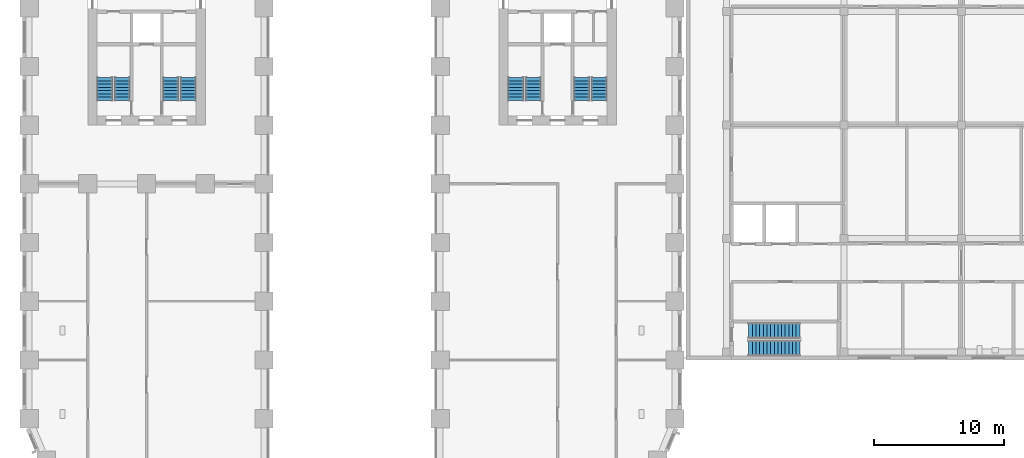
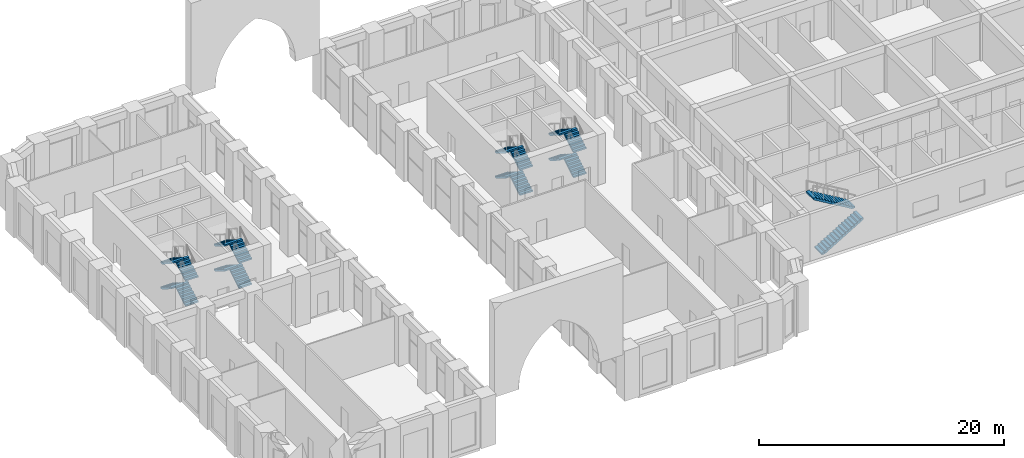
# One storey, part 18 of 25: 18 stair flights, 5 elements without a shape of their own.
"""IFC4 building model written with IfcOpenShell, lengths in metres."""

import ifcopenshell
import ifcopenshell.guid

model = None  # the IFC model being written
_history = None  # IfcOwnerHistory: only IFC2X3 demands one
_inside = {}  # id of a spatial element -> (the spatial element, [elements in it])
_under = {}  # id of a project, library or spatial element -> (it, [spatial elements below it])
_declared = {}  # id of a project -> (the project, [libraries it declares])
_typed = {}  # id of a type object -> (the type object, [elements of that type])
_made_of = {}  # id of a material, layer set ... -> (it, [elements and type objects made of it])


def new_model(schema):
    """Start an empty IFC model of exactly this schema.

    Asked for "IFC4X3", IfcOpenShell would pick the latest addendum, in which some entities
    have other attributes; the version numbers below select the first issue.
    IFC2X3 requires an IfcOwnerHistory on every rooted entity: one is made here for all.
    """
    global model, _history
    if schema == "IFC4X3":
        model = ifcopenshell.file(schema_version=(4, 3, 0, 0))
    else:
        model = ifcopenshell.file(schema=schema)
    _inside.clear()
    _under.clear()
    _declared.clear()
    _typed.clear()
    _made_of.clear()
    _history = None
    if model.schema == "IFC2X3":
        org = make("IfcOrganization", Name="unknown")
        user = make(
            "IfcPersonAndOrganization",
            ThePerson=make("IfcPerson", FamilyName="unknown"),
            TheOrganization=org,
        )
        app = make(
            "IfcApplication",
            ApplicationDeveloper=org,
            Version="unknown",
            ApplicationFullName="unknown",
            ApplicationIdentifier="unknown",
        )
        _history = make(
            "IfcOwnerHistory",
            OwningUser=user,
            OwningApplication=app,
            ChangeAction="ADDED",
            CreationDate=0,
        )
    return model


def make(cls, **values):
    """One entity of the class cls with the attributes given. An attribute that is None is left unset."""
    return model.create_entity(
        cls, **{name: value for name, value in values.items() if value is not None}
    )


def rooted(cls, **values):
    """An entity with a GlobalId (a new one), such as an element, a storey or a relation."""
    return make(cls, GlobalId=ifcopenshell.guid.new(), OwnerHistory=_history, **values)


def si_unit(unit_type, name, prefix=None):
    """IfcSIUnit, for example si_unit("LENGTHUNIT", "METRE", prefix="MILLI")."""
    return make("IfcSIUnit", UnitType=unit_type, Prefix=prefix, Name=name)


def assignment(units):
    """IfcUnitAssignment: the units of a project."""
    return None if units is None else make("IfcUnitAssignment", Units=units)


def point(xyz):
    """IfcCartesianPoint."""
    return None if xyz is None else make("IfcCartesianPoint", Coordinates=xyz)


def direction(xyz):
    """IfcDirection."""
    return None if xyz is None else make("IfcDirection", DirectionRatios=xyz)


def frame(location, z_axis=None, x_axis=None):
    """IfcAxis2Placement3D, a coordinate frame: its origin and axes. An axis left out is left unset."""
    return make(
        "IfcAxis2Placement3D",
        Location=point(location),
        Axis=direction(z_axis),
        RefDirection=direction(x_axis),
    )


def origin():
    """The frame at (0, 0, 0) with its axes left unset."""
    return frame((0.0, 0.0, 0.0))


def place(relative_to, where):
    """IfcLocalPlacement: puts the frame where relative to a parent placement (None: the world)."""
    return make(
        "IfcLocalPlacement", PlacementRelTo=relative_to, RelativePlacement=where
    )


def context(
    kind, dimensions, precision=None, world=None, true_north=None, identifier=None
):
    """IfcGeometricRepresentationContext, for example the 3D "Model" context."""
    return make(
        "IfcGeometricRepresentationContext",
        ContextIdentifier=identifier,
        ContextType=kind,
        CoordinateSpaceDimension=dimensions,
        Precision=precision,
        WorldCoordinateSystem=world,
        TrueNorth=true_north,
    )


def subcontext(parent, identifier, kind, view, scale=None):
    """IfcGeometricRepresentationSubContext, for example "Body" below "Model"."""
    return make(
        "IfcGeometricRepresentationSubContext",
        ContextIdentifier=identifier,
        ContextType=kind,
        ParentContext=parent,
        TargetScale=scale,
        TargetView=view,
    )


def project(units=None, contexts=None):
    """IfcProject with its units and contexts."""
    return rooted(
        "IfcProject",
        Name="project",
        RepresentationContexts=contexts,
        UnitsInContext=assignment(units),
    )


def spatial(cls, under=None, at=None, **own):
    """A site, building, storey or space (cls), placed at a placement, below another one or the project."""
    s = rooted(cls, ObjectPlacement=at, **own)
    if under is not None:
        _under.setdefault(under.id(), (under, []))[1].append(s)
    return s


def polyline(points):
    """IfcPolyline through the points."""
    return make("IfcPolyline", Points=[point(p) for p in points])


def outline(outer, holes=None, kind="AREA"):
    """IfcArbitraryClosedProfileDef: a profile drawn as a closed curve; with holes, ...WithVoids."""
    if holes is None:
        return make("IfcArbitraryClosedProfileDef", ProfileType=kind, OuterCurve=outer)
    return make(
        "IfcArbitraryProfileDefWithVoids",
        ProfileType=kind,
        OuterCurve=outer,
        InnerCurves=holes,
    )


def extrude(swept, where, along, depth):
    """IfcExtrudedAreaSolid: the profile swept, set in the frame where, extruded along a direction by depth."""
    return make(
        "IfcExtrudedAreaSolid",
        SweptArea=swept,
        Position=where,
        ExtrudedDirection=direction(along),
        Depth=depth,
    )


def shape(context_of_items, identifier, shape_type, items):
    """IfcShapeRepresentation: the items that make up one representation, for example the "Body"."""
    return make(
        "IfcShapeRepresentation",
        ContextOfItems=context_of_items,
        RepresentationIdentifier=identifier,
        RepresentationType=shape_type,
        Items=items,
    )


def material(Name=None, Category=None):
    """IfcMaterial."""
    return make("IfcMaterial", Name=Name, Category=Category)


def made_of(thing, what):
    """Note that an element or type object is made of a material, layer set ...; save() writes the relation."""
    if what is not None:
        _made_of.setdefault(what.id(), (what, []))[1].append(thing)
    return thing


def type_object(cls, material=None, **own):
    """A type object (cls), such as IfcWallType, which elements share."""
    return made_of(rooted(cls, **own), material)


def element(
    cls,
    number,
    at=None,
    inside=None,
    cuts=None,
    type_object=None,
    material=None,
    context=None,
    identifier="Body",
    shape_type=None,
    held_by="IfcProductDefinitionShape",
    body=None,
    shapes=None,
    **own,
):
    """One element of the class cls, such as IfcWall. Its Tag is "e" and its number.

    at: its placement. inside: the storey or other place that contains it. cuts: it is an
    opening in that element (IfcRelVoidsElement). A single representation is given by context,
    identifier, shape_type and body (its items); several are given by shapes. held_by: the class
    of the entity that holds the representations. save() writes the other relations.
    """
    e = rooted(cls, Tag="e%d" % number, ObjectPlacement=at, **own)
    if body is not None:
        shapes = [shape(context, identifier, shape_type, body)]
    if shapes is not None:
        e.Representation = make(held_by, Representations=shapes)
    if inside is not None:
        _inside.setdefault(inside.id(), (inside, []))[1].append(e)
    if cuts is not None:
        rooted(
            "IfcRelVoidsElement", RelatingBuildingElement=cuts, RelatedOpeningElement=e
        )
    if type_object is not None:
        _typed.setdefault(type_object.id(), (type_object, []))[1].append(e)
    return made_of(e, material)


def aggregate(whole, parts):
    """IfcRelAggregates: a whole, such as a stair, and the parts it consists of."""
    return rooted("IfcRelAggregates", RelatingObject=whole, RelatedObjects=parts)


def save(model, path):
    """Write the relations noted so far, then the file.

    IfcRelAggregates (storeys below a building ...), IfcRelContainedInSpatialStructure (elements
    in a storey), IfcRelDefinesByType, IfcRelAssociatesMaterial and IfcRelDeclares: one each for
    every whole, place, type object, material and project.
    """
    for whole, parts in _under.values():
        aggregate(whole, parts)
    for where, things in _inside.values():
        rooted(
            "IfcRelContainedInSpatialStructure",
            RelatedElements=things,
            RelatingStructure=where,
        )
    for kind, things in _typed.values():
        rooted("IfcRelDefinesByType", RelatedObjects=things, RelatingType=kind)
    for what, things in _made_of.values():
        rooted("IfcRelAssociatesMaterial", RelatedObjects=things, RelatingMaterial=what)
    for by, libraries in _declared.values():
        rooted("IfcRelDeclares", RelatingContext=by, RelatedDefinitions=libraries)
    model.write(path)


model = new_model("IFC4")

# Units and contexts
model_context = context("Model", 3, precision=1e-05, world=origin(), true_north=direction((0.0, 1.0)))
body_context = subcontext(model_context, "Body", "Model", "MODEL_VIEW")
ifc_project = project(units=[si_unit("LENGTHUNIT", "METRE"), si_unit("AREAUNIT", "SQUARE_METRE"), si_unit("VOLUMEUNIT", "CUBIC_METRE"), si_unit("PLANEANGLEUNIT", "RADIAN"), si_unit("MASSUNIT", "GRAM", prefix="KILO")], contexts=[model_context])

# Site, building, storey
site_placement = place(None, origin())
site = spatial("IfcSite", under=ifc_project, at=site_placement, CompositionType="ELEMENT")
building_placement = place(site_placement, origin())
building = spatial("IfcBuilding", under=site, at=building_placement, Name="Girih Gate Residences", CompositionType="ELEMENT")
storey_placement = place(building_placement, frame((0.0, 0.0, 6.0)))
storey = spatial("IfcBuildingStorey", under=building, at=storey_placement, Name="L01", CompositionType="ELEMENT", Elevation=6.0)

# Stair, stair flights
ifc_material = material(Name="Concrete C40/50", Category="concrete")
stair_type_1 = type_object("IfcStairType", Name="HC Stair", PredefinedType="HALF_TURN_STAIR", material=ifc_material)
stair_1_placement = place(storey_placement, origin())
stair_1 = element("IfcStair", 1, at=stair_1_placement, inside=storey, type_object=stair_type_1, Name="L01 stair A", PredefinedType="HALF_TURN_STAIR")
stair_flight_type_1 = type_object("IfcStairFlightType", Name="HC Stair flight", PredefinedType="STRAIGHT", material=ifc_material)
stair_flight_1_placement = place(storey_placement, frame((55.14990234375, 9.89990234375, 0.0), z_axis=(0.0, 0.0, 1.0), x_axis=(1.0, 0.0, 0.0)))
stair_flight_1 = element("IfcStairFlight", 2, at=stair_flight_1_placement, type_object=stair_flight_type_1, Name="HC-STA flight 1", NumberOfRisers=15, NumberOfTreads=14, PredefinedType="STRAIGHT", RiserHeight=0.166666667, TreadLength=0.28, context=body_context, shape_type="SweptSolid", body=[
    extrude(outline(polyline([(0.0, 0.0), (0.0, 0.166748046875), (0.280029296875, 0.166748046875), (0.280029296875, 0.333251953125), (0.56005859375, 0.333251953125), (0.56005859375, 0.5), (0.840087890625, 0.5), (0.840087890625, 0.666748046875), (1.1201171875, 0.666748046875), (1.1201171875, 0.833251953125), (1.39990234375, 0.833251953125), (1.39990234375, 1.0), (1.679931640625, 1.0), (1.679931640625, 1.166748046875), (1.9599609375, 1.166748046875), (1.9599609375, 1.333251953125), (2.239990234375, 1.333251953125), (2.239990234375, 1.5), (2.52001953125, 1.5), (2.52001953125, 1.666748046875), (2.800048828125, 1.666748046875), (2.800048828125, 1.833251953125), (3.080078125, 1.833251953125), (3.080078125, 2.0), (3.360107421875, 2.0), (3.360107421875, 2.166748046875), (3.639892578125, 2.166748046875), (3.639892578125, 2.333251953125), (3.919921875, 2.333251953125), (3.919921875, 2.5), (3.919921875, 2.158935546875), (0.29296875, 0.0), (0.0, 0.0)])), frame((0.0, 0.60009765625, 0.0), z_axis=(0.0, -1.0, 0.0), x_axis=(1.0, 0.0, 0.0)), (0.0, 0.0, 1.0), 1.199951171875),
])
stair_flight_2_placement = place(storey_placement, frame((59.070068359375, 11.25, 2.5), z_axis=(0.0, 0.0, 1.0), x_axis=(-1.0, 0.0, 0.0)))
stair_flight_2 = element("IfcStairFlight", 3, at=stair_flight_2_placement, type_object=stair_flight_type_1, Name="HC-STA flight 2", NumberOfRisers=15, NumberOfTreads=14, PredefinedType="STRAIGHT", RiserHeight=0.166666667, TreadLength=0.28, context=body_context, shape_type="SweptSolid", body=[
    extrude(outline(polyline([(0.0, 0.0), (0.0, 0.166748046875), (0.280029296875, 0.166748046875), (0.280029296875, 0.333251953125), (0.56005859375, 0.333251953125), (0.56005859375, 0.5), (0.840087890625, 0.5), (0.840087890625, 0.666748046875), (1.1201171875, 0.666748046875), (1.1201171875, 0.833251953125), (1.39990234375, 0.833251953125), (1.39990234375, 1.0), (1.679931640625, 1.0), (1.679931640625, 1.166748046875), (1.9599609375, 1.166748046875), (1.9599609375, 1.333251953125), (2.239990234375, 1.333251953125), (2.239990234375, 1.5), (2.52001953125, 1.5), (2.52001953125, 1.666748046875), (2.800048828125, 1.666748046875), (2.800048828125, 1.833251953125), (3.080078125, 1.833251953125), (3.080078125, 2.0), (3.360107421875, 2.0), (3.360107421875, 2.166748046875), (3.639892578125, 2.166748046875), (3.639892578125, 2.333251953125), (3.919921875, 2.333251953125), (3.919921875, 2.5), (3.919921875, 2.158935546875), (0.29296875, 0.0), (0.0, 0.0)])), frame((0.0, 0.60009765625, 0.0), z_axis=(0.0, -1.0, 0.0), x_axis=(1.0, 0.0, 0.0)), (0.0, 0.0, 1.0), 1.199951171875),
])
aggregate(stair_1, [stair_flight_1, stair_flight_2])

stair_type_2 = type_object("IfcStairType", Name="Exit stair", PredefinedType="HALF_TURN_STAIR", material=ifc_material)
stair_2_placement = place(storey_placement, origin())
stair_2 = element("IfcStair", 4, at=stair_2_placement, inside=storey, type_object=stair_type_2, Name="L01 Exit Stair ST-W1", PredefinedType="HALF_TURN_STAIR")
stair_flight_type_2 = type_object("IfcStairFlightType", Name="Stair flight 1200", PredefinedType="STRAIGHT", material=ifc_material)
stair_flight_3_placement = place(storey_placement, frame((7.14990234375, 28.89990234375, 0.0), z_axis=(0.0, 0.0, 1.0), x_axis=(0.0, 1.0, 0.0)))
stair_flight_3 = element("IfcStairFlight", 5, at=stair_flight_3_placement, type_object=stair_flight_type_2, Name="ST-W1 flight 1", NumberOfRisers=8, NumberOfTreads=7, PredefinedType="STRAIGHT", RiserHeight=0.15625, TreadLength=0.25, context=body_context, shape_type="SweptSolid", body=[
    extrude(outline(polyline([(0.0, 0.0), (0.0, 0.01123046875), (0.0, 0.022216796875), (0.0, 0.033447265625), (0.0, 0.044677734375), (0.0, 0.055908203125), (0.0, 0.06689453125), (0.0, 0.078125), (0.0, 0.08935546875), (0.0, 0.100341796875), (0.0, 0.111572265625), (0.0, 0.122802734375), (0.0, 0.134033203125), (0.0, 0.14501953125), (0.0, 0.15625), (0.25, 0.15625), (0.25, 0.3125), (0.5, 0.3125), (0.5, 0.46875), (0.75, 0.46875), (0.75, 0.625), (1.0, 0.625), (1.0, 0.78125), (1.25, 0.78125), (1.25, 0.9375), (1.5, 0.9375), (1.5, 1.09375), (1.75, 1.09375), (1.75, 1.10498046875), (1.75, 1.115966796875), (1.75, 1.127197265625), (1.75, 1.138427734375), (1.75, 1.149658203125), (1.75, 1.16064453125), (1.75, 1.171875), (1.75, 1.18310546875), (1.75, 1.194091796875), (1.75, 1.205322265625), (1.75, 1.216552734375), (1.75, 1.227783203125), (1.75, 1.23876953125), (1.75, 1.25), (1.75, 1.228759765625), (1.75, 1.20751953125), (1.75, 1.186279296875), (1.75, 1.164794921875), (1.75, 1.1435546875), (1.75, 1.122314453125), (1.75, 1.10107421875), (1.75, 1.079833984375), (1.75, 1.05859375), (1.75, 1.037109375), (1.75, 1.015869140625), (1.75, 0.99462890625), (1.75, 0.973388671875), (1.75, 0.9521484375), (0.2265625, 0.0), (0.0, 0.0)])), frame((0.0, 0.60009765625, 0.0), z_axis=(0.0, -1.0, 0.0), x_axis=(1.0, 0.0, 0.0)), (0.0, 0.0, 1.0), 1.199951171875),
])
stair_flight_4_placement = place(storey_placement, frame((5.800048828125, 30.64990234375, 1.25), z_axis=(0.0, 0.0, 1.0), x_axis=(0.0, -1.0, 0.0)))
stair_flight_4 = element("IfcStairFlight", 6, at=stair_flight_4_placement, type_object=stair_flight_type_2, Name="ST-W1 flight 2", NumberOfRisers=8, NumberOfTreads=7, PredefinedType="STRAIGHT", RiserHeight=0.15625, TreadLength=0.25, context=body_context, shape_type="SweptSolid", body=[
    extrude(outline(polyline([(0.0, 0.0), (0.0, 0.01123046875), (0.0, 0.022216796875), (0.0, 0.033447265625), (0.0, 0.044677734375), (0.0, 0.055908203125), (0.0, 0.06689453125), (0.0, 0.078125), (0.0, 0.08935546875), (0.0, 0.100341796875), (0.0, 0.111572265625), (0.0, 0.122802734375), (0.0, 0.134033203125), (0.0, 0.14501953125), (0.0, 0.15625), (0.25, 0.15625), (0.25, 0.3125), (0.5, 0.3125), (0.5, 0.46875), (0.75, 0.46875), (0.75, 0.625), (1.0, 0.625), (1.0, 0.78125), (1.25, 0.78125), (1.25, 0.9375), (1.5, 0.9375), (1.5, 1.09375), (1.75, 1.09375), (1.75, 1.10498046875), (1.75, 1.115966796875), (1.75, 1.127197265625), (1.75, 1.138427734375), (1.75, 1.149658203125), (1.75, 1.16064453125), (1.75, 1.171875), (1.75, 1.18310546875), (1.75, 1.194091796875), (1.75, 1.205322265625), (1.75, 1.216552734375), (1.75, 1.227783203125), (1.75, 1.23876953125), (1.75, 1.25), (1.75, 1.228759765625), (1.75, 1.20751953125), (1.75, 1.186279296875), (1.75, 1.164794921875), (1.75, 1.1435546875), (1.75, 1.122314453125), (1.75, 1.10107421875), (1.75, 1.079833984375), (1.75, 1.05859375), (1.75, 1.037109375), (1.75, 1.015869140625), (1.75, 0.99462890625), (1.75, 0.973388671875), (1.75, 0.9521484375), (0.2265625, 0.0), (0.0, 0.0)])), frame((0.0, 0.60009765625, 0.0), z_axis=(0.0, -1.0, 0.0), x_axis=(1.0, 0.0, 0.0)), (0.0, 0.0, 1.0), 1.199951171875),
])
stair_flight_5_placement = place(storey_placement, frame((7.14990234375, 28.89990234375, 2.5), z_axis=(0.0, 0.0, 1.0), x_axis=(0.0, 1.0, 0.0)))
stair_flight_5 = element("IfcStairFlight", 7, at=stair_flight_5_placement, type_object=stair_flight_type_2, Name="ST-W1 flight 3", NumberOfRisers=8, NumberOfTreads=7, PredefinedType="STRAIGHT", RiserHeight=0.15625, TreadLength=0.25, context=body_context, shape_type="SweptSolid", body=[
    extrude(outline(polyline([(0.0, 0.0), (0.0, 0.01123046875), (0.0, 0.022216796875), (0.0, 0.033447265625), (0.0, 0.044677734375), (0.0, 0.055908203125), (0.0, 0.06689453125), (0.0, 0.078125), (0.0, 0.08935546875), (0.0, 0.100341796875), (0.0, 0.111572265625), (0.0, 0.122802734375), (0.0, 0.134033203125), (0.0, 0.14501953125), (0.0, 0.15625), (0.25, 0.15625), (0.25, 0.3125), (0.5, 0.3125), (0.5, 0.46875), (0.75, 0.46875), (0.75, 0.625), (1.0, 0.625), (1.0, 0.78125), (1.25, 0.78125), (1.25, 0.9375), (1.5, 0.9375), (1.5, 1.09375), (1.75, 1.09375), (1.75, 1.10498046875), (1.75, 1.115966796875), (1.75, 1.127197265625), (1.75, 1.138427734375), (1.75, 1.149658203125), (1.75, 1.16064453125), (1.75, 1.171875), (1.75, 1.18310546875), (1.75, 1.194091796875), (1.75, 1.205322265625), (1.75, 1.216552734375), (1.75, 1.227783203125), (1.75, 1.23876953125), (1.75, 1.25), (1.75, 1.228759765625), (1.75, 1.20751953125), (1.75, 1.186279296875), (1.75, 1.164794921875), (1.75, 1.1435546875), (1.75, 1.122314453125), (1.75, 1.10107421875), (1.75, 1.079833984375), (1.75, 1.05859375), (1.75, 1.037109375), (1.75, 1.015869140625), (1.75, 0.99462890625), (1.75, 0.973388671875), (1.75, 0.9521484375), (0.2265625, 0.0), (0.0, 0.0)])), frame((0.0, 0.60009765625, 0.0), z_axis=(0.0, -1.0, 0.0), x_axis=(1.0, 0.0, 0.0)), (0.0, 0.0, 1.0), 1.199951171875),
])
stair_flight_6_placement = place(storey_placement, frame((5.800048828125, 30.64990234375, 3.75), z_axis=(0.0, 0.0, 1.0), x_axis=(0.0, -1.0, 0.0)))
stair_flight_6 = element("IfcStairFlight", 8, at=stair_flight_6_placement, type_object=stair_flight_type_2, Name="ST-W1 flight 4", NumberOfRisers=8, NumberOfTreads=7, PredefinedType="STRAIGHT", RiserHeight=0.15625, TreadLength=0.25, context=body_context, shape_type="SweptSolid", body=[
    extrude(outline(polyline([(0.0, 0.0), (0.0, 0.01123046875), (0.0, 0.022216796875), (0.0, 0.033447265625), (0.0, 0.044677734375), (0.0, 0.055908203125), (0.0, 0.06689453125), (0.0, 0.078125), (0.0, 0.08935546875), (0.0, 0.100341796875), (0.0, 0.111572265625), (0.0, 0.122802734375), (0.0, 0.134033203125), (0.0, 0.14501953125), (0.0, 0.15625), (0.25, 0.15625), (0.25, 0.3125), (0.5, 0.3125), (0.5, 0.46875), (0.75, 0.46875), (0.75, 0.625), (1.0, 0.625), (1.0, 0.78125), (1.25, 0.78125), (1.25, 0.9375), (1.5, 0.9375), (1.5, 1.09375), (1.75, 1.09375), (1.75, 1.10498046875), (1.75, 1.115966796875), (1.75, 1.127197265625), (1.75, 1.138427734375), (1.75, 1.149658203125), (1.75, 1.16064453125), (1.75, 1.171875), (1.75, 1.18310546875), (1.75, 1.194091796875), (1.75, 1.205322265625), (1.75, 1.216552734375), (1.75, 1.227783203125), (1.75, 1.23876953125), (1.75, 1.25), (1.75, 1.228759765625), (1.75, 1.20751953125), (1.75, 1.186279296875), (1.75, 1.164794921875), (1.75, 1.1435546875), (1.75, 1.122314453125), (1.75, 1.10107421875), (1.75, 1.079833984375), (1.75, 1.05859375), (1.75, 1.037109375), (1.75, 1.015869140625), (1.75, 0.99462890625), (1.75, 0.973388671875), (1.75, 0.9521484375), (0.2265625, 0.0), (0.0, 0.0)])), frame((0.0, 0.60009765625, 0.0), z_axis=(0.0, -1.0, 0.0), x_axis=(1.0, 0.0, 0.0)), (0.0, 0.0, 1.0), 1.199951171875),
])
aggregate(stair_2, [stair_flight_3, stair_flight_4, stair_flight_5, stair_flight_6])

stair_3_placement = place(storey_placement, origin())
stair_3 = element("IfcStair", 9, at=stair_3_placement, inside=storey, type_object=stair_type_2, Name="L01 Exit Stair ST-W2", PredefinedType="HALF_TURN_STAIR")
stair_flight_7_placement = place(storey_placement, frame((12.199951171875, 28.89990234375, 0.0), z_axis=(0.0, 0.0, 1.0), x_axis=(0.0, 1.0, 0.0)))
stair_flight_7 = element("IfcStairFlight", 10, at=stair_flight_7_placement, type_object=stair_flight_type_2, Name="ST-W2 flight 1", NumberOfRisers=8, NumberOfTreads=7, PredefinedType="STRAIGHT", RiserHeight=0.15625, TreadLength=0.25, context=body_context, shape_type="SweptSolid", body=[
    extrude(outline(polyline([(0.0, 0.0), (0.0, 0.01123046875), (0.0, 0.022216796875), (0.0, 0.033447265625), (0.0, 0.044677734375), (0.0, 0.055908203125), (0.0, 0.06689453125), (0.0, 0.078125), (0.0, 0.08935546875), (0.0, 0.100341796875), (0.0, 0.111572265625), (0.0, 0.122802734375), (0.0, 0.134033203125), (0.0, 0.14501953125), (0.0, 0.15625), (0.25, 0.15625), (0.25, 0.3125), (0.5, 0.3125), (0.5, 0.46875), (0.75, 0.46875), (0.75, 0.625), (1.0, 0.625), (1.0, 0.78125), (1.25, 0.78125), (1.25, 0.9375), (1.5, 0.9375), (1.5, 1.09375), (1.75, 1.09375), (1.75, 1.10498046875), (1.75, 1.115966796875), (1.75, 1.127197265625), (1.75, 1.138427734375), (1.75, 1.149658203125), (1.75, 1.16064453125), (1.75, 1.171875), (1.75, 1.18310546875), (1.75, 1.194091796875), (1.75, 1.205322265625), (1.75, 1.216552734375), (1.75, 1.227783203125), (1.75, 1.23876953125), (1.75, 1.25), (1.75, 1.228759765625), (1.75, 1.20751953125), (1.75, 1.186279296875), (1.75, 1.164794921875), (1.75, 1.1435546875), (1.75, 1.122314453125), (1.75, 1.10107421875), (1.75, 1.079833984375), (1.75, 1.05859375), (1.75, 1.037109375), (1.75, 1.015869140625), (1.75, 0.99462890625), (1.75, 0.973388671875), (1.75, 0.9521484375), (0.2265625, 0.0), (0.0, 0.0)])), frame((0.0, 0.60009765625, 0.0), z_axis=(0.0, -1.0, 0.0), x_axis=(1.0, 0.0, 0.0)), (0.0, 0.0, 1.0), 1.199951171875),
])
stair_flight_8_placement = place(storey_placement, frame((10.85009765625, 30.64990234375, 1.25), z_axis=(0.0, 0.0, 1.0), x_axis=(0.0, -1.0, 0.0)))
stair_flight_8 = element("IfcStairFlight", 11, at=stair_flight_8_placement, type_object=stair_flight_type_2, Name="ST-W2 flight 2", NumberOfRisers=8, NumberOfTreads=7, PredefinedType="STRAIGHT", RiserHeight=0.15625, TreadLength=0.25, context=body_context, shape_type="SweptSolid", body=[
    extrude(outline(polyline([(0.0, 0.0), (0.0, 0.01123046875), (0.0, 0.022216796875), (0.0, 0.033447265625), (0.0, 0.044677734375), (0.0, 0.055908203125), (0.0, 0.06689453125), (0.0, 0.078125), (0.0, 0.08935546875), (0.0, 0.100341796875), (0.0, 0.111572265625), (0.0, 0.122802734375), (0.0, 0.134033203125), (0.0, 0.14501953125), (0.0, 0.15625), (0.25, 0.15625), (0.25, 0.3125), (0.5, 0.3125), (0.5, 0.46875), (0.75, 0.46875), (0.75, 0.625), (1.0, 0.625), (1.0, 0.78125), (1.25, 0.78125), (1.25, 0.9375), (1.5, 0.9375), (1.5, 1.09375), (1.75, 1.09375), (1.75, 1.10498046875), (1.75, 1.115966796875), (1.75, 1.127197265625), (1.75, 1.138427734375), (1.75, 1.149658203125), (1.75, 1.16064453125), (1.75, 1.171875), (1.75, 1.18310546875), (1.75, 1.194091796875), (1.75, 1.205322265625), (1.75, 1.216552734375), (1.75, 1.227783203125), (1.75, 1.23876953125), (1.75, 1.25), (1.75, 1.228759765625), (1.75, 1.20751953125), (1.75, 1.186279296875), (1.75, 1.164794921875), (1.75, 1.1435546875), (1.75, 1.122314453125), (1.75, 1.10107421875), (1.75, 1.079833984375), (1.75, 1.05859375), (1.75, 1.037109375), (1.75, 1.015869140625), (1.75, 0.99462890625), (1.75, 0.973388671875), (1.75, 0.9521484375), (0.2265625, 0.0), (0.0, 0.0)])), frame((0.0, 0.60009765625, 0.0), z_axis=(0.0, -1.0, 0.0), x_axis=(1.0, 0.0, 0.0)), (0.0, 0.0, 1.0), 1.199951171875),
])
stair_flight_9_placement = place(storey_placement, frame((12.199951171875, 28.89990234375, 2.5), z_axis=(0.0, 0.0, 1.0), x_axis=(0.0, 1.0, 0.0)))
stair_flight_9 = element("IfcStairFlight", 12, at=stair_flight_9_placement, type_object=stair_flight_type_2, Name="ST-W2 flight 3", NumberOfRisers=8, NumberOfTreads=7, PredefinedType="STRAIGHT", RiserHeight=0.15625, TreadLength=0.25, context=body_context, shape_type="SweptSolid", body=[
    extrude(outline(polyline([(0.0, 0.0), (0.0, 0.01123046875), (0.0, 0.022216796875), (0.0, 0.033447265625), (0.0, 0.044677734375), (0.0, 0.055908203125), (0.0, 0.06689453125), (0.0, 0.078125), (0.0, 0.08935546875), (0.0, 0.100341796875), (0.0, 0.111572265625), (0.0, 0.122802734375), (0.0, 0.134033203125), (0.0, 0.14501953125), (0.0, 0.15625), (0.25, 0.15625), (0.25, 0.3125), (0.5, 0.3125), (0.5, 0.46875), (0.75, 0.46875), (0.75, 0.625), (1.0, 0.625), (1.0, 0.78125), (1.25, 0.78125), (1.25, 0.9375), (1.5, 0.9375), (1.5, 1.09375), (1.75, 1.09375), (1.75, 1.10498046875), (1.75, 1.115966796875), (1.75, 1.127197265625), (1.75, 1.138427734375), (1.75, 1.149658203125), (1.75, 1.16064453125), (1.75, 1.171875), (1.75, 1.18310546875), (1.75, 1.194091796875), (1.75, 1.205322265625), (1.75, 1.216552734375), (1.75, 1.227783203125), (1.75, 1.23876953125), (1.75, 1.25), (1.75, 1.228759765625), (1.75, 1.20751953125), (1.75, 1.186279296875), (1.75, 1.164794921875), (1.75, 1.1435546875), (1.75, 1.122314453125), (1.75, 1.10107421875), (1.75, 1.079833984375), (1.75, 1.05859375), (1.75, 1.037109375), (1.75, 1.015869140625), (1.75, 0.99462890625), (1.75, 0.973388671875), (1.75, 0.9521484375), (0.2265625, 0.0), (0.0, 0.0)])), frame((0.0, 0.60009765625, 0.0), z_axis=(0.0, -1.0, 0.0), x_axis=(1.0, 0.0, 0.0)), (0.0, 0.0, 1.0), 1.199951171875),
])
stair_flight_10_placement = place(storey_placement, frame((10.85009765625, 30.64990234375, 3.75), z_axis=(0.0, 0.0, 1.0), x_axis=(0.0, -1.0, 0.0)))
stair_flight_10 = element("IfcStairFlight", 13, at=stair_flight_10_placement, type_object=stair_flight_type_2, Name="ST-W2 flight 4", NumberOfRisers=8, NumberOfTreads=7, PredefinedType="STRAIGHT", RiserHeight=0.15625, TreadLength=0.25, context=body_context, shape_type="SweptSolid", body=[
    extrude(outline(polyline([(0.0, 0.0), (0.0, 0.01123046875), (0.0, 0.022216796875), (0.0, 0.033447265625), (0.0, 0.044677734375), (0.0, 0.055908203125), (0.0, 0.06689453125), (0.0, 0.078125), (0.0, 0.08935546875), (0.0, 0.100341796875), (0.0, 0.111572265625), (0.0, 0.122802734375), (0.0, 0.134033203125), (0.0, 0.14501953125), (0.0, 0.15625), (0.25, 0.15625), (0.25, 0.3125), (0.5, 0.3125), (0.5, 0.46875), (0.75, 0.46875), (0.75, 0.625), (1.0, 0.625), (1.0, 0.78125), (1.25, 0.78125), (1.25, 0.9375), (1.5, 0.9375), (1.5, 1.09375), (1.75, 1.09375), (1.75, 1.10498046875), (1.75, 1.115966796875), (1.75, 1.127197265625), (1.75, 1.138427734375), (1.75, 1.149658203125), (1.75, 1.16064453125), (1.75, 1.171875), (1.75, 1.18310546875), (1.75, 1.194091796875), (1.75, 1.205322265625), (1.75, 1.216552734375), (1.75, 1.227783203125), (1.75, 1.23876953125), (1.75, 1.25), (1.75, 1.228759765625), (1.75, 1.20751953125), (1.75, 1.186279296875), (1.75, 1.164794921875), (1.75, 1.1435546875), (1.75, 1.122314453125), (1.75, 1.10107421875), (1.75, 1.079833984375), (1.75, 1.05859375), (1.75, 1.037109375), (1.75, 1.015869140625), (1.75, 0.99462890625), (1.75, 0.973388671875), (1.75, 0.9521484375), (0.2265625, 0.0), (0.0, 0.0)])), frame((0.0, 0.60009765625, 0.0), z_axis=(0.0, -1.0, 0.0), x_axis=(1.0, 0.0, 0.0)), (0.0, 0.0, 1.0), 1.199951171875),
])
aggregate(stair_3, [stair_flight_7, stair_flight_8, stair_flight_9, stair_flight_10])

stair_4_placement = place(storey_placement, origin())
stair_4 = element("IfcStair", 14, at=stair_4_placement, inside=storey, type_object=stair_type_2, Name="L01 Exit Stair ST-E1", PredefinedType="HALF_TURN_STAIR")
stair_flight_11_placement = place(storey_placement, frame((43.699951171875, 28.89990234375, 0.0), z_axis=(0.0, 0.0, 1.0), x_axis=(0.0, 1.0, 0.0)))
stair_flight_11 = element("IfcStairFlight", 15, at=stair_flight_11_placement, type_object=stair_flight_type_2, Name="ST-E1 flight 1", NumberOfRisers=8, NumberOfTreads=7, PredefinedType="STRAIGHT", RiserHeight=0.15625, TreadLength=0.25, context=body_context, shape_type="SweptSolid", body=[
    extrude(outline(polyline([(0.0, 0.0), (0.0, 0.01123046875), (0.0, 0.022216796875), (0.0, 0.033447265625), (0.0, 0.044677734375), (0.0, 0.055908203125), (0.0, 0.06689453125), (0.0, 0.078125), (0.0, 0.08935546875), (0.0, 0.100341796875), (0.0, 0.111572265625), (0.0, 0.122802734375), (0.0, 0.134033203125), (0.0, 0.14501953125), (0.0, 0.15625), (0.25, 0.15625), (0.25, 0.3125), (0.5, 0.3125), (0.5, 0.46875), (0.75, 0.46875), (0.75, 0.625), (1.0, 0.625), (1.0, 0.78125), (1.25, 0.78125), (1.25, 0.9375), (1.5, 0.9375), (1.5, 1.09375), (1.75, 1.09375), (1.75, 1.10498046875), (1.75, 1.115966796875), (1.75, 1.127197265625), (1.75, 1.138427734375), (1.75, 1.149658203125), (1.75, 1.16064453125), (1.75, 1.171875), (1.75, 1.18310546875), (1.75, 1.194091796875), (1.75, 1.205322265625), (1.75, 1.216552734375), (1.75, 1.227783203125), (1.75, 1.23876953125), (1.75, 1.25), (1.75, 1.228759765625), (1.75, 1.20751953125), (1.75, 1.186279296875), (1.75, 1.164794921875), (1.75, 1.1435546875), (1.75, 1.122314453125), (1.75, 1.10107421875), (1.75, 1.079833984375), (1.75, 1.05859375), (1.75, 1.037109375), (1.75, 1.015869140625), (1.75, 0.99462890625), (1.75, 0.973388671875), (1.75, 0.9521484375), (0.2265625, 0.0), (0.0, 0.0)])), frame((0.0, 0.60009765625, 0.0), z_axis=(0.0, -1.0, 0.0), x_axis=(1.0, 0.0, 0.0)), (0.0, 0.0, 1.0), 1.199951171875),
])
stair_flight_12_placement = place(storey_placement, frame((42.35009765625, 30.64990234375, 1.25), z_axis=(0.0, 0.0, 1.0), x_axis=(0.0, -1.0, 0.0)))
stair_flight_12 = element("IfcStairFlight", 16, at=stair_flight_12_placement, type_object=stair_flight_type_2, Name="ST-E1 flight 2", NumberOfRisers=8, NumberOfTreads=7, PredefinedType="STRAIGHT", RiserHeight=0.15625, TreadLength=0.25, context=body_context, shape_type="SweptSolid", body=[
    extrude(outline(polyline([(0.0, 0.0), (0.0, 0.01123046875), (0.0, 0.022216796875), (0.0, 0.033447265625), (0.0, 0.044677734375), (0.0, 0.055908203125), (0.0, 0.06689453125), (0.0, 0.078125), (0.0, 0.08935546875), (0.0, 0.100341796875), (0.0, 0.111572265625), (0.0, 0.122802734375), (0.0, 0.134033203125), (0.0, 0.14501953125), (0.0, 0.15625), (0.25, 0.15625), (0.25, 0.3125), (0.5, 0.3125), (0.5, 0.46875), (0.75, 0.46875), (0.75, 0.625), (1.0, 0.625), (1.0, 0.78125), (1.25, 0.78125), (1.25, 0.9375), (1.5, 0.9375), (1.5, 1.09375), (1.75, 1.09375), (1.75, 1.10498046875), (1.75, 1.115966796875), (1.75, 1.127197265625), (1.75, 1.138427734375), (1.75, 1.149658203125), (1.75, 1.16064453125), (1.75, 1.171875), (1.75, 1.18310546875), (1.75, 1.194091796875), (1.75, 1.205322265625), (1.75, 1.216552734375), (1.75, 1.227783203125), (1.75, 1.23876953125), (1.75, 1.25), (1.75, 1.228759765625), (1.75, 1.20751953125), (1.75, 1.186279296875), (1.75, 1.164794921875), (1.75, 1.1435546875), (1.75, 1.122314453125), (1.75, 1.10107421875), (1.75, 1.079833984375), (1.75, 1.05859375), (1.75, 1.037109375), (1.75, 1.015869140625), (1.75, 0.99462890625), (1.75, 0.973388671875), (1.75, 0.9521484375), (0.2265625, 0.0), (0.0, 0.0)])), frame((0.0, 0.60009765625, 0.0), z_axis=(0.0, -1.0, 0.0), x_axis=(1.0, 0.0, 0.0)), (0.0, 0.0, 1.0), 1.199951171875),
])
stair_flight_13_placement = place(storey_placement, frame((43.699951171875, 28.89990234375, 2.5), z_axis=(0.0, 0.0, 1.0), x_axis=(0.0, 1.0, 0.0)))
stair_flight_13 = element("IfcStairFlight", 17, at=stair_flight_13_placement, type_object=stair_flight_type_2, Name="ST-E1 flight 3", NumberOfRisers=8, NumberOfTreads=7, PredefinedType="STRAIGHT", RiserHeight=0.15625, TreadLength=0.25, context=body_context, shape_type="SweptSolid", body=[
    extrude(outline(polyline([(0.0, 0.0), (0.0, 0.01123046875), (0.0, 0.022216796875), (0.0, 0.033447265625), (0.0, 0.044677734375), (0.0, 0.055908203125), (0.0, 0.06689453125), (0.0, 0.078125), (0.0, 0.08935546875), (0.0, 0.100341796875), (0.0, 0.111572265625), (0.0, 0.122802734375), (0.0, 0.134033203125), (0.0, 0.14501953125), (0.0, 0.15625), (0.25, 0.15625), (0.25, 0.3125), (0.5, 0.3125), (0.5, 0.46875), (0.75, 0.46875), (0.75, 0.625), (1.0, 0.625), (1.0, 0.78125), (1.25, 0.78125), (1.25, 0.9375), (1.5, 0.9375), (1.5, 1.09375), (1.75, 1.09375), (1.75, 1.10498046875), (1.75, 1.115966796875), (1.75, 1.127197265625), (1.75, 1.138427734375), (1.75, 1.149658203125), (1.75, 1.16064453125), (1.75, 1.171875), (1.75, 1.18310546875), (1.75, 1.194091796875), (1.75, 1.205322265625), (1.75, 1.216552734375), (1.75, 1.227783203125), (1.75, 1.23876953125), (1.75, 1.25), (1.75, 1.228759765625), (1.75, 1.20751953125), (1.75, 1.186279296875), (1.75, 1.164794921875), (1.75, 1.1435546875), (1.75, 1.122314453125), (1.75, 1.10107421875), (1.75, 1.079833984375), (1.75, 1.05859375), (1.75, 1.037109375), (1.75, 1.015869140625), (1.75, 0.99462890625), (1.75, 0.973388671875), (1.75, 0.9521484375), (0.2265625, 0.0), (0.0, 0.0)])), frame((0.0, 0.60009765625, 0.0), z_axis=(0.0, -1.0, 0.0), x_axis=(1.0, 0.0, 0.0)), (0.0, 0.0, 1.0), 1.199951171875),
])
stair_flight_14_placement = place(storey_placement, frame((42.35009765625, 30.64990234375, 3.75), z_axis=(0.0, 0.0, 1.0), x_axis=(0.0, -1.0, 0.0)))
stair_flight_14 = element("IfcStairFlight", 18, at=stair_flight_14_placement, type_object=stair_flight_type_2, Name="ST-E1 flight 4", NumberOfRisers=8, NumberOfTreads=7, PredefinedType="STRAIGHT", RiserHeight=0.15625, TreadLength=0.25, context=body_context, shape_type="SweptSolid", body=[
    extrude(outline(polyline([(0.0, 0.0), (0.0, 0.01123046875), (0.0, 0.022216796875), (0.0, 0.033447265625), (0.0, 0.044677734375), (0.0, 0.055908203125), (0.0, 0.06689453125), (0.0, 0.078125), (0.0, 0.08935546875), (0.0, 0.100341796875), (0.0, 0.111572265625), (0.0, 0.122802734375), (0.0, 0.134033203125), (0.0, 0.14501953125), (0.0, 0.15625), (0.25, 0.15625), (0.25, 0.3125), (0.5, 0.3125), (0.5, 0.46875), (0.75, 0.46875), (0.75, 0.625), (1.0, 0.625), (1.0, 0.78125), (1.25, 0.78125), (1.25, 0.9375), (1.5, 0.9375), (1.5, 1.09375), (1.75, 1.09375), (1.75, 1.10498046875), (1.75, 1.115966796875), (1.75, 1.127197265625), (1.75, 1.138427734375), (1.75, 1.149658203125), (1.75, 1.16064453125), (1.75, 1.171875), (1.75, 1.18310546875), (1.75, 1.194091796875), (1.75, 1.205322265625), (1.75, 1.216552734375), (1.75, 1.227783203125), (1.75, 1.23876953125), (1.75, 1.25), (1.75, 1.228759765625), (1.75, 1.20751953125), (1.75, 1.186279296875), (1.75, 1.164794921875), (1.75, 1.1435546875), (1.75, 1.122314453125), (1.75, 1.10107421875), (1.75, 1.079833984375), (1.75, 1.05859375), (1.75, 1.037109375), (1.75, 1.015869140625), (1.75, 0.99462890625), (1.75, 0.973388671875), (1.75, 0.9521484375), (0.2265625, 0.0), (0.0, 0.0)])), frame((0.0, 0.60009765625, 0.0), z_axis=(0.0, -1.0, 0.0), x_axis=(1.0, 0.0, 0.0)), (0.0, 0.0, 1.0), 1.199951171875),
])
aggregate(stair_4, [stair_flight_11, stair_flight_12, stair_flight_13, stair_flight_14])

stair_5_placement = place(storey_placement, origin())
stair_5 = element("IfcStair", 19, at=stair_5_placement, inside=storey, type_object=stair_type_2, Name="L01 Exit Stair ST-E2", PredefinedType="HALF_TURN_STAIR")
stair_flight_15_placement = place(storey_placement, frame((38.64990234375, 28.89990234375, 0.0), z_axis=(0.0, 0.0, 1.0), x_axis=(0.0, 1.0, 0.0)))
stair_flight_15 = element("IfcStairFlight", 20, at=stair_flight_15_placement, type_object=stair_flight_type_2, Name="ST-E2 flight 1", NumberOfRisers=8, NumberOfTreads=7, PredefinedType="STRAIGHT", RiserHeight=0.15625, TreadLength=0.25, context=body_context, shape_type="SweptSolid", body=[
    extrude(outline(polyline([(0.0, 0.0), (0.0, 0.01123046875), (0.0, 0.022216796875), (0.0, 0.033447265625), (0.0, 0.044677734375), (0.0, 0.055908203125), (0.0, 0.06689453125), (0.0, 0.078125), (0.0, 0.08935546875), (0.0, 0.100341796875), (0.0, 0.111572265625), (0.0, 0.122802734375), (0.0, 0.134033203125), (0.0, 0.14501953125), (0.0, 0.15625), (0.25, 0.15625), (0.25, 0.3125), (0.5, 0.3125), (0.5, 0.46875), (0.75, 0.46875), (0.75, 0.625), (1.0, 0.625), (1.0, 0.78125), (1.25, 0.78125), (1.25, 0.9375), (1.5, 0.9375), (1.5, 1.09375), (1.75, 1.09375), (1.75, 1.10498046875), (1.75, 1.115966796875), (1.75, 1.127197265625), (1.75, 1.138427734375), (1.75, 1.149658203125), (1.75, 1.16064453125), (1.75, 1.171875), (1.75, 1.18310546875), (1.75, 1.194091796875), (1.75, 1.205322265625), (1.75, 1.216552734375), (1.75, 1.227783203125), (1.75, 1.23876953125), (1.75, 1.25), (1.75, 1.228759765625), (1.75, 1.20751953125), (1.75, 1.186279296875), (1.75, 1.164794921875), (1.75, 1.1435546875), (1.75, 1.122314453125), (1.75, 1.10107421875), (1.75, 1.079833984375), (1.75, 1.05859375), (1.75, 1.037109375), (1.75, 1.015869140625), (1.75, 0.99462890625), (1.75, 0.973388671875), (1.75, 0.9521484375), (0.2265625, 0.0), (0.0, 0.0)])), frame((0.0, 0.60009765625, 0.0), z_axis=(0.0, -1.0, 0.0), x_axis=(1.0, 0.0, 0.0)), (0.0, 0.0, 1.0), 1.199951171875),
])
stair_flight_16_placement = place(storey_placement, frame((37.300048828125, 30.64990234375, 1.25), z_axis=(0.0, 0.0, 1.0), x_axis=(0.0, -1.0, 0.0)))
stair_flight_16 = element("IfcStairFlight", 21, at=stair_flight_16_placement, type_object=stair_flight_type_2, Name="ST-E2 flight 2", NumberOfRisers=8, NumberOfTreads=7, PredefinedType="STRAIGHT", RiserHeight=0.15625, TreadLength=0.25, context=body_context, shape_type="SweptSolid", body=[
    extrude(outline(polyline([(0.0, 0.0), (0.0, 0.01123046875), (0.0, 0.022216796875), (0.0, 0.033447265625), (0.0, 0.044677734375), (0.0, 0.055908203125), (0.0, 0.06689453125), (0.0, 0.078125), (0.0, 0.08935546875), (0.0, 0.100341796875), (0.0, 0.111572265625), (0.0, 0.122802734375), (0.0, 0.134033203125), (0.0, 0.14501953125), (0.0, 0.15625), (0.25, 0.15625), (0.25, 0.3125), (0.5, 0.3125), (0.5, 0.46875), (0.75, 0.46875), (0.75, 0.625), (1.0, 0.625), (1.0, 0.78125), (1.25, 0.78125), (1.25, 0.9375), (1.5, 0.9375), (1.5, 1.09375), (1.75, 1.09375), (1.75, 1.10498046875), (1.75, 1.115966796875), (1.75, 1.127197265625), (1.75, 1.138427734375), (1.75, 1.149658203125), (1.75, 1.16064453125), (1.75, 1.171875), (1.75, 1.18310546875), (1.75, 1.194091796875), (1.75, 1.205322265625), (1.75, 1.216552734375), (1.75, 1.227783203125), (1.75, 1.23876953125), (1.75, 1.25), (1.75, 1.228759765625), (1.75, 1.20751953125), (1.75, 1.186279296875), (1.75, 1.164794921875), (1.75, 1.1435546875), (1.75, 1.122314453125), (1.75, 1.10107421875), (1.75, 1.079833984375), (1.75, 1.05859375), (1.75, 1.037109375), (1.75, 1.015869140625), (1.75, 0.99462890625), (1.75, 0.973388671875), (1.75, 0.9521484375), (0.2265625, 0.0), (0.0, 0.0)])), frame((0.0, 0.60009765625, 0.0), z_axis=(0.0, -1.0, 0.0), x_axis=(1.0, 0.0, 0.0)), (0.0, 0.0, 1.0), 1.199951171875),
])
stair_flight_17_placement = place(storey_placement, frame((38.64990234375, 28.89990234375, 2.5), z_axis=(0.0, 0.0, 1.0), x_axis=(0.0, 1.0, 0.0)))
stair_flight_17 = element("IfcStairFlight", 22, at=stair_flight_17_placement, type_object=stair_flight_type_2, Name="ST-E2 flight 3", NumberOfRisers=8, NumberOfTreads=7, PredefinedType="STRAIGHT", RiserHeight=0.15625, TreadLength=0.25, context=body_context, shape_type="SweptSolid", body=[
    extrude(outline(polyline([(0.0, 0.0), (0.0, 0.01123046875), (0.0, 0.022216796875), (0.0, 0.033447265625), (0.0, 0.044677734375), (0.0, 0.055908203125), (0.0, 0.06689453125), (0.0, 0.078125), (0.0, 0.08935546875), (0.0, 0.100341796875), (0.0, 0.111572265625), (0.0, 0.122802734375), (0.0, 0.134033203125), (0.0, 0.14501953125), (0.0, 0.15625), (0.25, 0.15625), (0.25, 0.3125), (0.5, 0.3125), (0.5, 0.46875), (0.75, 0.46875), (0.75, 0.625), (1.0, 0.625), (1.0, 0.78125), (1.25, 0.78125), (1.25, 0.9375), (1.5, 0.9375), (1.5, 1.09375), (1.75, 1.09375), (1.75, 1.10498046875), (1.75, 1.115966796875), (1.75, 1.127197265625), (1.75, 1.138427734375), (1.75, 1.149658203125), (1.75, 1.16064453125), (1.75, 1.171875), (1.75, 1.18310546875), (1.75, 1.194091796875), (1.75, 1.205322265625), (1.75, 1.216552734375), (1.75, 1.227783203125), (1.75, 1.23876953125), (1.75, 1.25), (1.75, 1.228759765625), (1.75, 1.20751953125), (1.75, 1.186279296875), (1.75, 1.164794921875), (1.75, 1.1435546875), (1.75, 1.122314453125), (1.75, 1.10107421875), (1.75, 1.079833984375), (1.75, 1.05859375), (1.75, 1.037109375), (1.75, 1.015869140625), (1.75, 0.99462890625), (1.75, 0.973388671875), (1.75, 0.9521484375), (0.2265625, 0.0), (0.0, 0.0)])), frame((0.0, 0.60009765625, 0.0), z_axis=(0.0, -1.0, 0.0), x_axis=(1.0, 0.0, 0.0)), (0.0, 0.0, 1.0), 1.199951171875),
])
stair_flight_18_placement = place(storey_placement, frame((37.300048828125, 30.64990234375, 3.75), z_axis=(0.0, 0.0, 1.0), x_axis=(0.0, -1.0, 0.0)))
stair_flight_18 = element("IfcStairFlight", 23, at=stair_flight_18_placement, type_object=stair_flight_type_2, Name="ST-E2 flight 4", NumberOfRisers=8, NumberOfTreads=7, PredefinedType="STRAIGHT", RiserHeight=0.15625, TreadLength=0.25, context=body_context, shape_type="SweptSolid", body=[
    extrude(outline(polyline([(0.0, 0.0), (0.0, 0.01123046875), (0.0, 0.022216796875), (0.0, 0.033447265625), (0.0, 0.044677734375), (0.0, 0.055908203125), (0.0, 0.06689453125), (0.0, 0.078125), (0.0, 0.08935546875), (0.0, 0.100341796875), (0.0, 0.111572265625), (0.0, 0.122802734375), (0.0, 0.134033203125), (0.0, 0.14501953125), (0.0, 0.15625), (0.25, 0.15625), (0.25, 0.3125), (0.5, 0.3125), (0.5, 0.46875), (0.75, 0.46875), (0.75, 0.625), (1.0, 0.625), (1.0, 0.78125), (1.25, 0.78125), (1.25, 0.9375), (1.5, 0.9375), (1.5, 1.09375), (1.75, 1.09375), (1.75, 1.10498046875), (1.75, 1.115966796875), (1.75, 1.127197265625), (1.75, 1.138427734375), (1.75, 1.149658203125), (1.75, 1.16064453125), (1.75, 1.171875), (1.75, 1.18310546875), (1.75, 1.194091796875), (1.75, 1.205322265625), (1.75, 1.216552734375), (1.75, 1.227783203125), (1.75, 1.23876953125), (1.75, 1.25), (1.75, 1.228759765625), (1.75, 1.20751953125), (1.75, 1.186279296875), (1.75, 1.164794921875), (1.75, 1.1435546875), (1.75, 1.122314453125), (1.75, 1.10107421875), (1.75, 1.079833984375), (1.75, 1.05859375), (1.75, 1.037109375), (1.75, 1.015869140625), (1.75, 0.99462890625), (1.75, 0.973388671875), (1.75, 0.9521484375), (0.2265625, 0.0), (0.0, 0.0)])), frame((0.0, 0.60009765625, 0.0), z_axis=(0.0, -1.0, 0.0), x_axis=(1.0, 0.0, 0.0)), (0.0, 0.0, 1.0), 1.199951171875),
])
aggregate(stair_5, [stair_flight_15, stair_flight_16, stair_flight_17, stair_flight_18])

save(model, "model.ifc")
